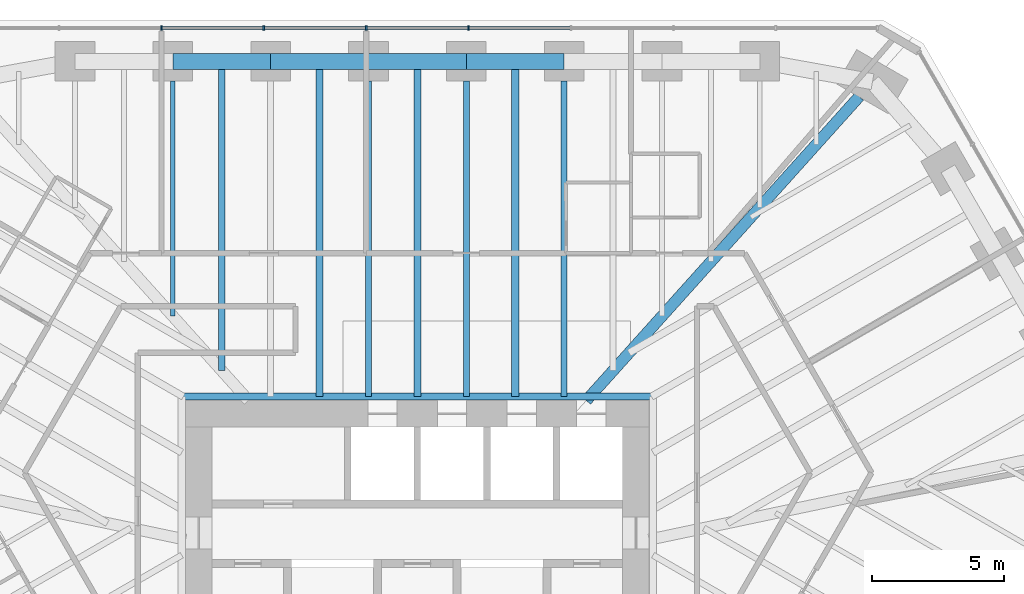
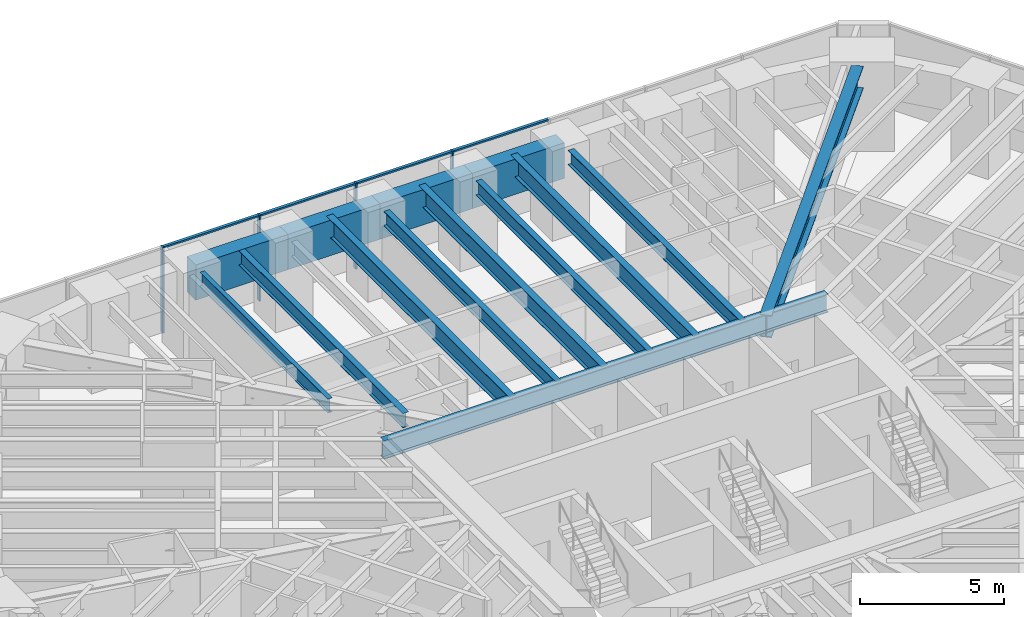
# One storey, part 8 of 16: 14 beams, 8 members, 1 element without a shape of its own.
"""IFC4 building model written with IfcOpenShell, lengths in metres."""

from ifc_helpers import new_model, si_unit, direction, frame, origin, origin_2d, place, context, subcontext, project, spatial, rectangle, i_section, extrude, material, material_profile, profile_set, type_object, element, aggregate, save


model = new_model("IFC4")

# Units and contexts
model_context = context("Model", 3, precision=1e-05, world=origin(), true_north=direction((0.0, 1.0)))
body_context = subcontext(model_context, "Body", "Model", "MODEL_VIEW")
ifc_project = project(units=[si_unit("LENGTHUNIT", "METRE"), si_unit("AREAUNIT", "SQUARE_METRE"), si_unit("VOLUMEUNIT", "CUBIC_METRE"), si_unit("PLANEANGLEUNIT", "RADIAN"), si_unit("MASSUNIT", "GRAM", prefix="KILO")], contexts=[model_context])

# Site, building, storey
site_placement = place(None, origin())
site = spatial("IfcSite", under=ifc_project, at=site_placement, CompositionType="ELEMENT")
building_placement = place(site_placement, origin())
building = spatial("IfcBuilding", under=site, at=building_placement, Name="Sandreach Pilgrim Tower", CompositionType="ELEMENT")
storey_placement = place(building_placement, frame((0.0, 0.0, 225.0)))
storey = spatial("IfcBuildingStorey", under=building, at=storey_placement, Name="L56", CompositionType="ELEMENT", Elevation=225.0)

# Curtain wall, members
ifc_material_1 = material(Name="Aluminium framed curtain wall", Category="aluminium")
curtain_wall_type = type_object("IfcCurtainWallType", Name="Upper hotel tower curtain wall", PredefinedType="NOTDEFINED", material=ifc_material_1)
curtain_wall_placement = place(storey_placement, origin())
curtain_wall = element("IfcCurtainWall", 1, at=curtain_wall_placement, inside=storey, type_object=curtain_wall_type, Name="CW-3 L56 N", PredefinedType="NOTDEFINED")
ifc_material_2 = material(Name="Aluminium extrusion", Category="aluminium")
ifc_material_profile_1 = material_profile(ifc_material_2, rectangle(XDim=0.06494140625, YDim=0.159912109375, at=origin_2d()), Name="CW-3M 65X160")
ifc_profile_set_1 = profile_set([ifc_material_profile_1], Name="Aluminium extrusion")
member_type_1 = type_object("IfcMemberType", Name="CW-3 mullion", PredefinedType="MULLION", material=ifc_profile_set_1)
member_1_placement = place(storey_placement, frame((-9.6611328125, 21.16015625, 0.0), z_axis=(0.0, 0.0, 1.0), x_axis=(1.0, 0.0, 0.0)))
member_1 = element("IfcMember", 2, at=member_1_placement, type_object=member_type_1, Name="CW-3 mullion 3", PredefinedType="MULLION", context=body_context, shape_type="SweptSolid", body=[
    extrude(rectangle(XDim=0.06494140625, YDim=0.159912109375, at=origin_2d()), origin(), (0.0, 0.0, 1.0), 3.639892578125),
])
member_2_placement = place(storey_placement, frame((-5.796630859375, 21.16015625, 0.0), z_axis=(0.0, 0.0, 1.0), x_axis=(1.0, 0.0, 0.0)))
member_2 = element("IfcMember", 3, at=member_2_placement, type_object=member_type_1, Name="CW-3 mullion 4", PredefinedType="MULLION", context=body_context, shape_type="SweptSolid", body=[
    extrude(rectangle(XDim=0.06494140625, YDim=0.159912109375, at=origin_2d()), origin(), (0.0, 0.0, 1.0), 3.639892578125),
])
member_3_placement = place(storey_placement, frame((-1.93212890625, 21.16015625, 0.0), z_axis=(0.0, 0.0, 1.0), x_axis=(1.0, 0.0, 0.0)))
member_3 = element("IfcMember", 4, at=member_3_placement, type_object=member_type_1, Name="CW-3 mullion 5", PredefinedType="MULLION", context=body_context, shape_type="SweptSolid", body=[
    extrude(rectangle(XDim=0.06494140625, YDim=0.159912109375, at=origin_2d()), origin(), (0.0, 0.0, 1.0), 3.639892578125),
])
member_4_placement = place(storey_placement, frame((1.93212890625, 21.16015625, 0.0), z_axis=(0.0, 0.0, 1.0), x_axis=(1.0, 0.0, 0.0)))
member_4 = element("IfcMember", 5, at=member_4_placement, type_object=member_type_1, Name="CW-3 mullion 6", PredefinedType="MULLION", context=body_context, shape_type="SweptSolid", body=[
    extrude(rectangle(XDim=0.06494140625, YDim=0.159912109375, at=origin_2d()), origin(), (0.0, 0.0, 1.0), 3.639892578125),
])
ifc_material_3 = material(Name="Aluminium extrusion", Category="aluminium")
ifc_material_profile_2 = material_profile(ifc_material_3, rectangle(XDim=0.1201171875, YDim=0.070068359375, at=origin_2d()), Name="CW-3T 120X70")
ifc_profile_set_2 = profile_set([ifc_material_profile_2], Name="Aluminium extrusion")
member_type_2 = type_object("IfcMemberType", Name="CW-3 transom", PredefinedType="USERDEFINED", material=ifc_profile_set_2)
member_5_placement = place(storey_placement, frame((-9.628662109375, 21.16015625, 3.60498046875), z_axis=(1.0, 0.0, 0.0), x_axis=(0.0, 1.0, 0.0)))
member_5 = element("IfcMember", 6, at=member_5_placement, type_object=member_type_2, Name="CW-3 head transom 3", ObjectType="TRANSOM", PredefinedType="USERDEFINED", context=body_context, shape_type="SweptSolid", body=[
    extrude(rectangle(XDim=0.1201171875, YDim=0.070068359375, at=origin_2d()), origin(), (0.0, 0.0, 1.0), 3.799560546875),
])
member_6_placement = place(storey_placement, frame((-5.76416015625, 21.16015625, 3.60498046875), z_axis=(1.0, 0.0, 0.0), x_axis=(0.0, 1.0, 0.0)))
member_6 = element("IfcMember", 7, at=member_6_placement, type_object=member_type_2, Name="CW-3 head transom 4", ObjectType="TRANSOM", PredefinedType="USERDEFINED", context=body_context, shape_type="SweptSolid", body=[
    extrude(rectangle(XDim=0.1201171875, YDim=0.070068359375, at=origin_2d()), origin(), (0.0, 0.0, 1.0), 3.799560546875),
])
member_7_placement = place(storey_placement, frame((-1.899658203125, 21.16015625, 3.60498046875), z_axis=(1.0, 0.0, 0.0), x_axis=(0.0, 1.0, 0.0)))
member_7 = element("IfcMember", 8, at=member_7_placement, type_object=member_type_2, Name="CW-3 head transom 5", ObjectType="TRANSOM", PredefinedType="USERDEFINED", context=body_context, shape_type="SweptSolid", body=[
    extrude(rectangle(XDim=0.1201171875, YDim=0.070068359375, at=origin_2d()), origin(), (0.0, 0.0, 1.0), 3.79931640625),
])
member_8_placement = place(storey_placement, frame((1.964599609375, 21.16015625, 3.60498046875), z_axis=(1.0, 0.0, 0.0), x_axis=(0.0, 1.0, 0.0)))
member_8 = element("IfcMember", 9, at=member_8_placement, type_object=member_type_2, Name="CW-3 head transom 6", ObjectType="TRANSOM", PredefinedType="USERDEFINED", context=body_context, shape_type="SweptSolid", body=[
    extrude(rectangle(XDim=0.1201171875, YDim=0.070068359375, at=origin_2d()), origin(), (0.0, 0.0, 1.0), 3.799560546875),
])
aggregate(curtain_wall, [member_1, member_2, member_3, member_4, member_5, member_6, member_7, member_8])

# Beams
ifc_material_4 = material(Name="Steel ASTM A992 Grade 50", Category="steel")
ifc_material_profile_3 = material_profile(ifc_material_4, i_section(OverallWidth=0.2666015625, OverallDepth=0.77978515625, WebThickness=0.0166015625, FlangeThickness=0.030029296875, at=origin_2d()), Name="W30X148")
ifc_profile_set_3 = profile_set([ifc_material_profile_3], Name="Steel ASTM A992 Grade 50")
beam_type_1 = type_object("IfcBeamType", Name="Core edge beam W30X148", PredefinedType="BEAM", material=ifc_profile_set_3)
beam_1_placement = place(storey_placement, frame((-8.893310546875, 7.243408203125, 3.25), z_axis=(1.0, 0.0, 0.0), x_axis=(0.0, 1.0, 0.0)))
element("IfcBeam", 10, at=beam_1_placement, inside=storey, type_object=beam_type_1, Name="BM L56 CEN", PredefinedType="BEAM", context=body_context, shape_type="SweptSolid", body=[
    extrude(i_section(OverallWidth=0.2666015625, OverallDepth=0.77978515625, WebThickness=0.0166015625, FlangeThickness=0.030029296875, at=origin_2d()), origin(), (0.0, 0.0, 1.0), 17.78662109375),
])
ifc_material_5 = material(Name="Steel ASTM A992 Grade 50", Category="steel")
ifc_material_profile_4 = material_profile(ifc_material_5, i_section(OverallWidth=0.424072265625, OverallDepth=0.947509765625, WebThickness=0.02392578125, FlangeThickness=0.042724609375, at=origin_2d()), Name="W36X302")
ifc_profile_set_4 = profile_set([ifc_material_profile_4], Name="Steel ASTM A992 Grade 50")
beam_type_2 = type_object("IfcBeamType", Name="Corner girder W36X302", PredefinedType="BEAM", material=ifc_profile_set_4)
beam_2_placement = place(storey_placement, frame((16.677001953125, 18.572509765625, 3.166259765625), z_axis=(-0.668116607722, -0.744056582853, 0.0), x_axis=(0.744056582853, -0.668116607722, 0.0)))
element("IfcBeam", 11, at=beam_2_placement, inside=storey, type_object=beam_type_2, Name="BM L56 CG09", PredefinedType="BEAM", context=body_context, shape_type="SweptSolid", body=[
    extrude(i_section(OverallWidth=0.424072265625, OverallDepth=0.947509765625, WebThickness=0.02392578125, FlangeThickness=0.042724609375, at=origin_2d()), origin(), (0.0, 0.0, 1.0), 15.418701171875),
])
ifc_material_6 = material(Name="Steel ASTM A992 Grade 50", Category="steel")
ifc_material_profile_5 = material_profile(ifc_material_6, i_section(OverallWidth=0.1787109375, OverallDepth=0.60205078125, WebThickness=0.010986328125, FlangeThickness=0.014892578125, at=origin_2d()), Name="W24X62")
ifc_profile_set_5 = profile_set([ifc_material_profile_5], Name="Steel ASTM A992 Grade 50")
beam_type_3 = type_object("IfcBeamType", Name="Floor beam W24X62", PredefinedType="BEAM", material=ifc_profile_set_5)
beam_3_placement = place(storey_placement, frame((-9.231201171875, 19.150146484375, 3.339111328125), z_axis=(0.0, -1.0, 0.0), x_axis=(1.0, 0.0, 0.0)))
element("IfcBeam", 12, at=beam_3_placement, inside=storey, type_object=beam_type_3, Name="BM L56 F02", PredefinedType="BEAM", context=body_context, shape_type="SweptSolid", body=[
    extrude(i_section(OverallWidth=0.1787109375, OverallDepth=0.60205078125, WebThickness=0.010986328125, FlangeThickness=0.014892578125, at=origin_2d()), origin(), (0.0, 0.0, 1.0), 8.86962890625),
])
ifc_material_7 = material(Name="Steel ASTM A992 Grade 50", Category="steel")
ifc_material_profile_6 = material_profile(ifc_material_7, i_section(OverallWidth=0.23046875, OverallDepth=0.6171875, WebThickness=0.01318359375, FlangeThickness=0.022216796875, at=origin_2d()), Name="W24X94")
ifc_profile_set_6 = profile_set([ifc_material_profile_6], Name="Steel ASTM A992 Grade 50")
beam_type_4 = type_object("IfcBeamType", Name="Floor beam W24X94", PredefinedType="BEAM", material=ifc_profile_set_6)
for number, where, z_axis, x_axis, name in (
    (13, (-1.84619140625, 19.150146484375, 3.331298828125), (0.0, -1.0, 0.0), (1.0, 0.0, 0.0), "BM L56 F04"),
    (14, (1.84619140625, 19.150146484375, 3.331298828125), (0.0, -1.0, 0.0), (1.0, 0.0, 0.0), "BM L56 F05"),
    (15, (5.538818359375, 19.150146484375, 3.331298828125), (0.0, -1.0, 0.0), (1.0, 0.0, 0.0), "BM L56 F06"),
):
    element("IfcBeam", number, at=place(storey_placement, frame(where, z_axis=z_axis, x_axis=x_axis)), inside=storey, type_object=beam_type_4, Name=name, PredefinedType="BEAM", context=body_context, shape_type="SweptSolid", body=[
        extrude(i_section(OverallWidth=0.23046875, OverallDepth=0.6171875, WebThickness=0.01318359375, FlangeThickness=0.022216796875, at=origin_2d()), origin(), (0.0, 0.0, 1.0), 11.90673828125),
    ])
beam_4_placement = place(storey_placement, frame((-7.385009765625, 19.900146484375, 3.331298828125), z_axis=(0.0, -1.0, 0.0), x_axis=(1.0, 0.0, 0.0)))
element("IfcBeam", 16, at=beam_4_placement, inside=storey, type_object=beam_type_4, Name="BM L56 FM02", PredefinedType="BEAM", context=body_context, shape_type="SweptSolid", body=[
    extrude(i_section(OverallWidth=0.23046875, OverallDepth=0.6171875, WebThickness=0.01318359375, FlangeThickness=0.022216796875, at=origin_2d()), origin(), (0.0, 0.0, 1.0), 11.67578125),
])
ifc_material_8 = material(Name="Steel ASTM A992 Grade 50", Category="steel")
ifc_material_profile_7 = material_profile(ifc_material_8, i_section(OverallWidth=0.2666015625, OverallDepth=0.761962890625, WebThickness=0.014404296875, FlangeThickness=0.021484375, at=origin_2d()), Name="W30X116")
ifc_profile_set_7 = profile_set([ifc_material_profile_7], Name="Steel ASTM A992 Grade 50")
beam_type_5 = type_object("IfcBeamType", Name="Floor beam W30X116", PredefinedType="BEAM", material=ifc_profile_set_7)
for number, where, z_axis, x_axis, name in (
    (17, (-3.6923828125, 19.900146484375, 3.259033203125), (0.0, -1.0, 0.0), (1.0, 0.0, 0.0), "BM L56 FM03"),
    (18, (0.0, 19.900146484375, 3.259033203125), (0.0, -1.0, 0.0), (1.0, 0.0, 0.0), "BM L56 FM04"),
    (19, (3.6923828125, 19.900146484375, 3.259033203125), (0.0, -1.0, 0.0), (1.0, 0.0, 0.0), "BM L56 FM05"),
):
    element("IfcBeam", number, at=place(storey_placement, frame(where, z_axis=z_axis, x_axis=x_axis)), inside=storey, type_object=beam_type_5, Name=name, PredefinedType="BEAM", context=body_context, shape_type="SweptSolid", body=[
        extrude(i_section(OverallWidth=0.2666015625, OverallDepth=0.761962890625, WebThickness=0.014404296875, FlangeThickness=0.021484375, at=origin_2d()), origin(), (0.0, 0.0, 1.0), 12.65673828125),
    ])
ifc_material_9 = material(Name="Concrete 10000 psi", Category="concrete")
ifc_material_profile_8 = material_profile(ifc_material_9, rectangle(XDim=0.60009765625, YDim=1.5, at=origin_2d()), Name="RC600X1500")
ifc_profile_set_8 = profile_set([ifc_material_profile_8], Name="Concrete 10000 psi")
beam_type_6 = type_object("IfcBeamType", Name="Spandrel beam RC600X1500", PredefinedType="SPANDREL", material=ifc_profile_set_8)
beam_5_placement = place(storey_placement, frame((-9.231201171875, 19.900146484375, 2.889892578125), z_axis=(1.0, 0.0, 0.0), x_axis=(0.0, 1.0, 0.0)))
element("IfcBeam", 20, at=beam_5_placement, inside=storey, type_object=beam_type_6, Name="BM L56 SP02", PredefinedType="SPANDREL", context=body_context, shape_type="SweptSolid", body=[
    extrude(rectangle(XDim=0.60009765625, YDim=1.5, at=origin_2d()), origin(), (0.0, 0.0, 1.0), 3.6923828125),
])
beam_6_placement = place(storey_placement, frame((-5.538818359375, 19.900146484375, 2.889892578125), z_axis=(1.0, 0.0, 0.0), x_axis=(0.0, 1.0, 0.0)))
element("IfcBeam", 21, at=beam_6_placement, inside=storey, type_object=beam_type_6, Name="BM L56 SP03", PredefinedType="SPANDREL", context=body_context, shape_type="SweptSolid", body=[
    extrude(rectangle(XDim=0.60009765625, YDim=1.5, at=origin_2d()), origin(), (0.0, 0.0, 1.0), 3.692626953125),
])
beam_7_placement = place(storey_placement, frame((-1.84619140625, 19.900146484375, 2.889892578125), z_axis=(1.0, 0.0, 0.0), x_axis=(0.0, 1.0, 0.0)))
element("IfcBeam", 22, at=beam_7_placement, inside=storey, type_object=beam_type_6, Name="BM L56 SP04", PredefinedType="SPANDREL", context=body_context, shape_type="SweptSolid", body=[
    extrude(rectangle(XDim=0.60009765625, YDim=1.5, at=origin_2d()), origin(), (0.0, 0.0, 1.0), 3.6923828125),
])
beam_8_placement = place(storey_placement, frame((1.84619140625, 19.900146484375, 2.889892578125), z_axis=(1.0, 0.0, 0.0), x_axis=(0.0, 1.0, 0.0)))
element("IfcBeam", 23, at=beam_8_placement, inside=storey, type_object=beam_type_6, Name="BM L56 SP05", PredefinedType="SPANDREL", context=body_context, shape_type="SweptSolid", body=[
    extrude(rectangle(XDim=0.60009765625, YDim=1.5, at=origin_2d()), origin(), (0.0, 0.0, 1.0), 3.692626953125),
])

save(model, "model.ifc")
